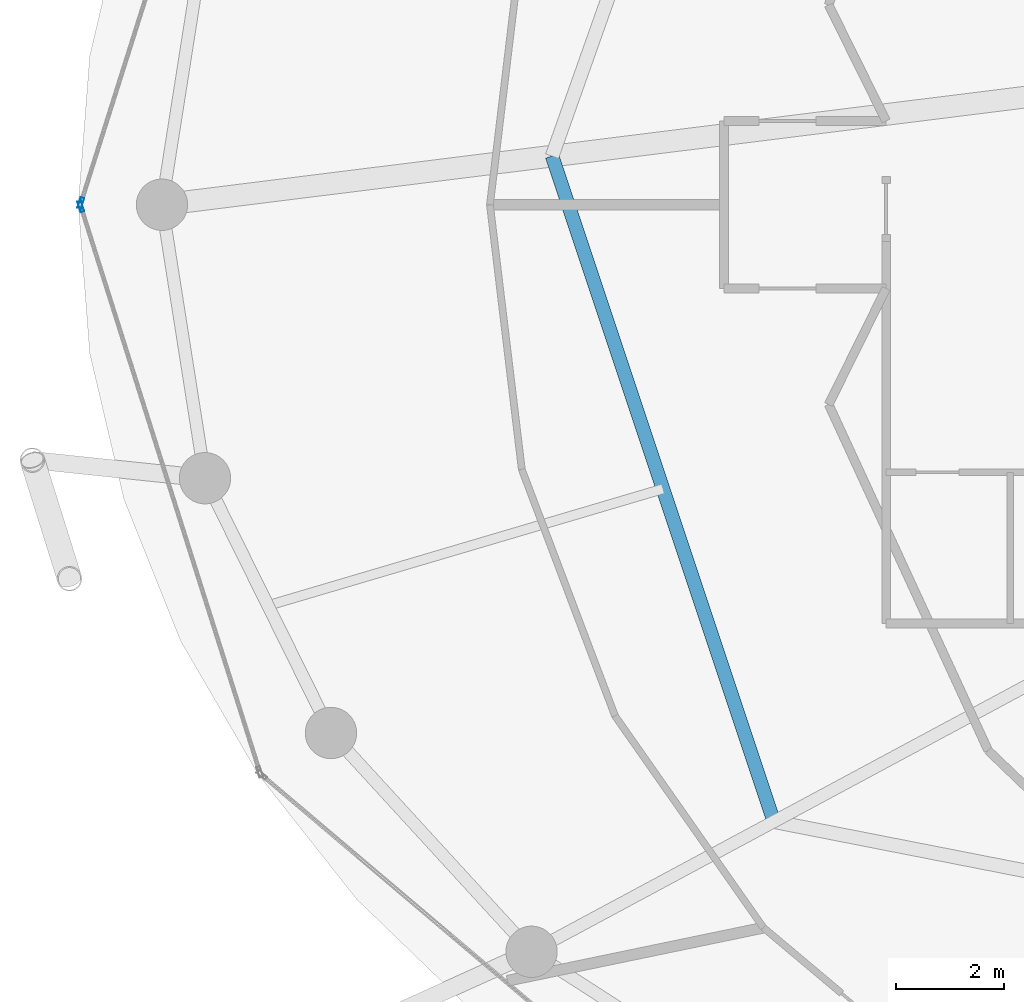
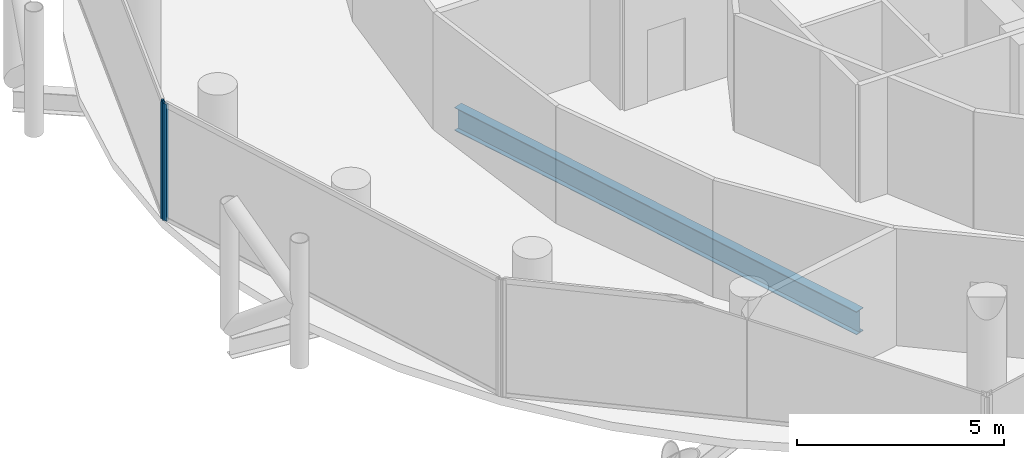
# One storey, part 6 of 26: 2 members, 1 beam, 2 elements without a shape of their own.
"""IFC4 building model written with IfcOpenShell, lengths in metres."""

from ifc_helpers import new_model, si_unit, direction, frame, origin, origin_2d, place, context, subcontext, project, spatial, hollow_rectangle, i_section, extrude, material, layer, layer_set, material_profile, profile_set, type_object, element, aggregate, save


model = new_model("IFC4")

# Units and contexts
model_context = context("Model", 3, precision=1e-05, world=origin(), true_north=direction((0.0, 1.0)))
body_context = subcontext(model_context, "Body", "Model", "MODEL_VIEW")
ifc_project = project(units=[si_unit("LENGTHUNIT", "METRE"), si_unit("AREAUNIT", "SQUARE_METRE"), si_unit("VOLUMEUNIT", "CUBIC_METRE"), si_unit("PLANEANGLEUNIT", "RADIAN"), si_unit("MASSUNIT", "GRAM", prefix="KILO")], contexts=[model_context])

# Site, building, storey
site_placement = place(None, origin())
site = spatial("IfcSite", under=ifc_project, at=site_placement, CompositionType="ELEMENT")
building_placement = place(site_placement, origin())
building = spatial("IfcBuilding", under=site, at=building_placement, Name="Nuhasar Tower", CompositionType="ELEMENT")
storey_placement = place(building_placement, frame((0.0, 0.0, 162.64990234375)))
storey = spatial("IfcBuildingStorey", under=building, at=storey_placement, Name="L39", CompositionType="ELEMENT", Elevation=162.64990234375)

# Beam
ifc_material_1 = material(Name="Steel S355", Category="steel")
ifc_material_profile_1 = material_profile(ifc_material_1, i_section(OverallWidth=0.25390625, OverallDepth=0.68408203125, WebThickness=0.012451171875, FlangeThickness=0.018798828125, at=origin_2d()), Name="W27X94")
ifc_profile_set_1 = profile_set([ifc_material_profile_1], Name="Steel S355")
beam_type = type_object("IfcBeamType", Name="BM-INRING-W27X94", PredefinedType="BEAM", material=ifc_profile_set_1)
beam_placement = place(storey_placement, frame((22.8701171875, 27.699951171875, -0.591796875), z_axis=(0.31609797573, -0.948726551615, 0.0), x_axis=(0.948726551615, 0.31609797573, 0.0)))
element("IfcBeam", 1, at=beam_placement, inside=storey, type_object=beam_type, Name="L39 Inner Header Beam 08", PredefinedType="BEAM", context=body_context, shape_type="SweptSolid", body=[
    extrude(i_section(OverallWidth=0.25390625, OverallDepth=0.68408203125, WebThickness=0.012451171875, FlangeThickness=0.018798828125, at=origin_2d()), origin(), (0.0, 0.0, 1.0), 12.9794921875),
])

# Curtain wall, member
ifc_material_2 = material(Name="Aluminium 6063-T6", Category="aluminium")
ifc_layer = layer(ifc_material_2, 0.199951171875)
ifc_layer_set = layer_set([ifc_layer], Name="Aluminium 6063-T6")
curtain_wall_type = type_object("IfcCurtainWallType", Name="CW-Z2-HTL", PredefinedType="NOTDEFINED", material=ifc_layer_set)
curtain_wall_1_placement = place(storey_placement, origin())
curtain_wall_1 = element("IfcCurtainWall", 2, at=curtain_wall_1_placement, inside=storey, type_object=curtain_wall_type, Name="L39 Unitised Curtain Wall 06", PredefinedType="NOTDEFINED")
ifc_material_profile_2 = material_profile(ifc_material_2, hollow_rectangle(XDim=0.070068359375, YDim=0.199951171875, WallThickness=0.0048828125, at=origin_2d()), Name="CWM-3")
ifc_profile_set_2 = profile_set([ifc_material_profile_2], Name="Aluminium 6063-T6")
member_type = type_object("IfcMemberType", Name="CW-MUL-S3", PredefinedType="MULLION", material=ifc_profile_set_2)
member_1_placement = place(storey_placement, frame((14.150634765625, 26.833251953125, 0.0), z_axis=(0.0, 0.0, 1.0), x_axis=(0.953433389233, -0.301603667577, 0.0)))
member_1 = element("IfcMember", 3, at=member_1_placement, type_object=member_type, Name="CW-Z2 mullion 2", PredefinedType="MULLION", context=body_context, shape_type="SweptSolid", body=[
    extrude(hollow_rectangle(XDim=0.070068359375, YDim=0.199951171875, WallThickness=0.0048828125, at=origin_2d()), origin(), (0.0, 0.0, 1.0), 3.4501953125),
])
aggregate(curtain_wall_1, [member_1])

curtain_wall_2_placement = place(storey_placement, origin())
curtain_wall_2 = element("IfcCurtainWall", 4, at=curtain_wall_2_placement, inside=storey, type_object=curtain_wall_type, Name="L39 Unitised Curtain Wall 07", PredefinedType="NOTDEFINED")
member_2_placement = place(storey_placement, frame((14.150634765625, 26.7666015625, 0.0), z_axis=(0.0, 0.0, 1.0), x_axis=(0.953433389233, 0.301603667577, 0.0)))
member_2 = element("IfcMember", 5, at=member_2_placement, type_object=member_type, Name="CW-Z2 mullion 1", PredefinedType="MULLION", context=body_context, shape_type="SweptSolid", body=[
    extrude(hollow_rectangle(XDim=0.070068359375, YDim=0.199951171875, WallThickness=0.0048828125, at=origin_2d()), origin(), (0.0, 0.0, 1.0), 3.4501953125),
])
aggregate(curtain_wall_2, [member_2])

save(model, "model.ifc")
